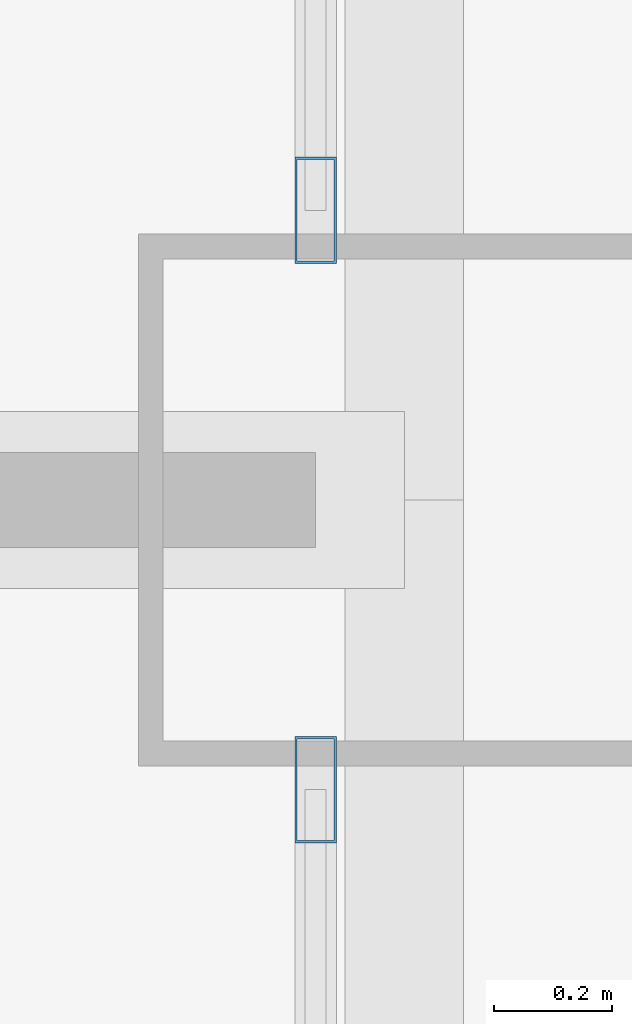
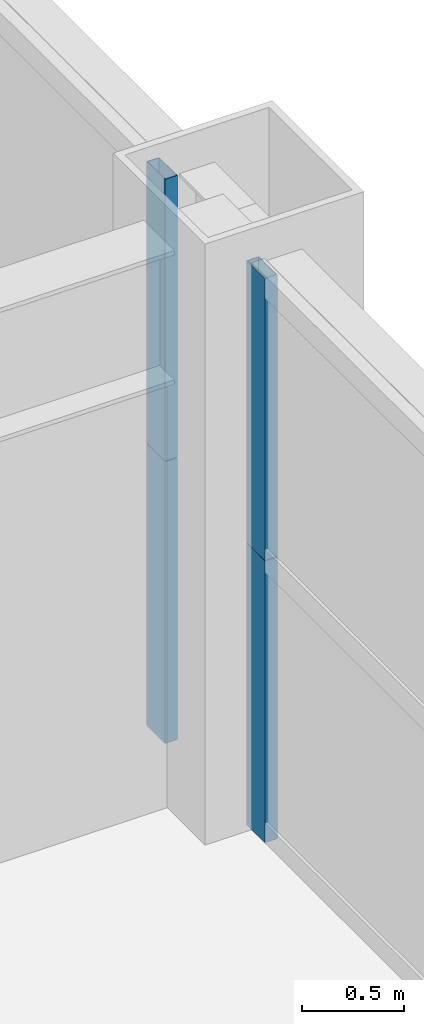
# One storey, part 21 of 43: 4 members, 2 elements without a shape of their own.
"""IFC4 building model written with IfcOpenShell, lengths in metres."""

from ifc_helpers import new_model, si_unit, direction, frame, origin, origin_2d, place, context, subcontext, project, spatial, hollow_rectangle, extrude, source, transform, mapped, material, layer, layer_set, material_profile, profile_set, type_object, element, aggregate, save


model = new_model("IFC4")

# Units and contexts
model_context = context("Model", 3, precision=1e-05, world=origin(), true_north=direction((0.0, 1.0)))
body_context = subcontext(model_context, "Body", "Model", "MODEL_VIEW")
ifc_project = project(units=[si_unit("LENGTHUNIT", "METRE"), si_unit("AREAUNIT", "SQUARE_METRE"), si_unit("VOLUMEUNIT", "CUBIC_METRE"), si_unit("PLANEANGLEUNIT", "RADIAN"), si_unit("MASSUNIT", "GRAM", prefix="KILO"), si_unit("THERMODYNAMICTEMPERATUREUNIT", "KELVIN"), si_unit("POWERUNIT", "WATT")], contexts=[model_context])

# Site, building, storey
site_placement = place(None, origin())
site = spatial("IfcSite", under=ifc_project, at=site_placement, CompositionType="ELEMENT")
building_placement = place(site_placement, origin())
building = spatial("IfcBuilding", under=site, at=building_placement, Name="Yuzanri Waterfront Tower", CompositionType="ELEMENT")
storey_placement = place(building_placement, frame((0.0, 0.0, 74.800048828125)))
storey = spatial("IfcBuildingStorey", under=building, at=storey_placement, Name="L19", CompositionType="ELEMENT", Elevation=74.800048828125)

# Curtain wall, members
ifc_material_1 = material(Name="Anodized Architectural Bronze", Category="metal")
ifc_layer = layer(ifc_material_1, 0.159912109375)
ifc_layer_set = layer_set([ifc_layer], Name="Anodized Architectural Bronze")
curtain_wall_type = type_object("IfcCurtainWallType", Name="Anodized Bronze Hotel Lower-Tier Recessed Unitized Curtain Wall 8100", PredefinedType="NOTDEFINED", material=ifc_layer_set)
curtain_wall_1_placement = place(storey_placement, origin())
curtain_wall_1 = element("IfcCurtainWall", 1, at=curtain_wall_1_placement, inside=storey, type_object=curtain_wall_type, Name="L19 Curtain Wall CW-L19-EL", PredefinedType="NOTDEFINED")
ifc_material_2 = material(Name="Anodized Architectural Bronze", Category="metal")
ifc_material_profile = material_profile(ifc_material_2, hollow_rectangle(XDim=0.070068359375, YDim=0.179931640625, WallThickness=0.00390625, at=origin_2d()), Name="CWM 70x180")
ifc_profile_set = profile_set([ifc_material_profile], Name="Anodized Architectural Bronze")
member_type = type_object("IfcMemberType", Name="Anodized Bronze Standard Curtain-Wall Mullion 70x180", PredefinedType="MULLION", material=ifc_profile_set)
shared_shape = source(origin(), body_context, "Body", "SweptSolid", [
    extrude(hollow_rectangle(XDim=0.070068359375, YDim=0.179931640625, WallThickness=0.00390625, at=origin_2d()), origin(), (0.0, 0.0, 1.0), 1.68798828125),
])
member_1_placement = place(storey_placement, frame((61.949951171875, 25.31005859375, 0.0), z_axis=(0.0, 0.0, 1.0), x_axis=(1.0, 0.0, 0.0)))
member_1 = element("IfcMember", 2, at=member_1_placement, type_object=member_type, Name="CW-L19-EL Lower Mullion 02", PredefinedType="MULLION", context=body_context, shape_type="MappedRepresentation", body=[
    mapped(shared_shape, transform((0.0, 0.0, 0.0), scale=1.0)),
])
member_2_placement = place(storey_placement, frame((61.949951171875, 25.31005859375, 1.69189453125), z_axis=(0.0, 0.0, 1.0), x_axis=(1.0, 0.0, 0.0)))
member_2 = element("IfcMember", 3, at=member_2_placement, type_object=member_type, Name="CW-L19-EL Upper Mullion 02", PredefinedType="MULLION", context=body_context, shape_type="MappedRepresentation", body=[
    mapped(shared_shape, transform((0.0, 0.0, 0.0), scale=1.0)),
])
aggregate(curtain_wall_1, [member_1, member_2])

curtain_wall_2_placement = place(storey_placement, origin())
curtain_wall_2 = element("IfcCurtainWall", 4, at=curtain_wall_2_placement, inside=storey, type_object=curtain_wall_type, Name="L19 Curtain Wall CW-L19-ER", PredefinedType="NOTDEFINED")
member_3_placement = place(storey_placement, frame((61.949951171875, 26.2900390625, 0.0), z_axis=(0.0, 0.0, 1.0), x_axis=(1.0, 0.0, 0.0)))
member_3 = element("IfcMember", 5, at=member_3_placement, type_object=member_type, Name="CW-L19-ER Lower Mullion 00", PredefinedType="MULLION", context=body_context, shape_type="MappedRepresentation", body=[
    mapped(shared_shape, transform((0.0, 0.0, 0.0), scale=1.0)),
])
member_4_placement = place(storey_placement, frame((61.949951171875, 26.2900390625, 1.69189453125), z_axis=(0.0, 0.0, 1.0), x_axis=(1.0, 0.0, 0.0)))
member_4 = element("IfcMember", 6, at=member_4_placement, type_object=member_type, Name="CW-L19-ER Upper Mullion 00", PredefinedType="MULLION", context=body_context, shape_type="MappedRepresentation", body=[
    mapped(shared_shape, transform((0.0, 0.0, 0.0), scale=1.0)),
])
aggregate(curtain_wall_2, [member_3, member_4])

save(model, "model.ifc")
